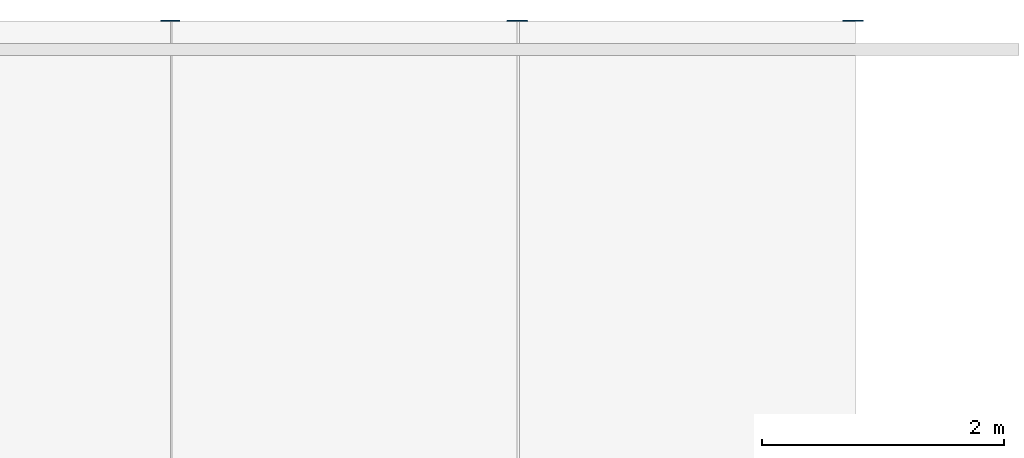
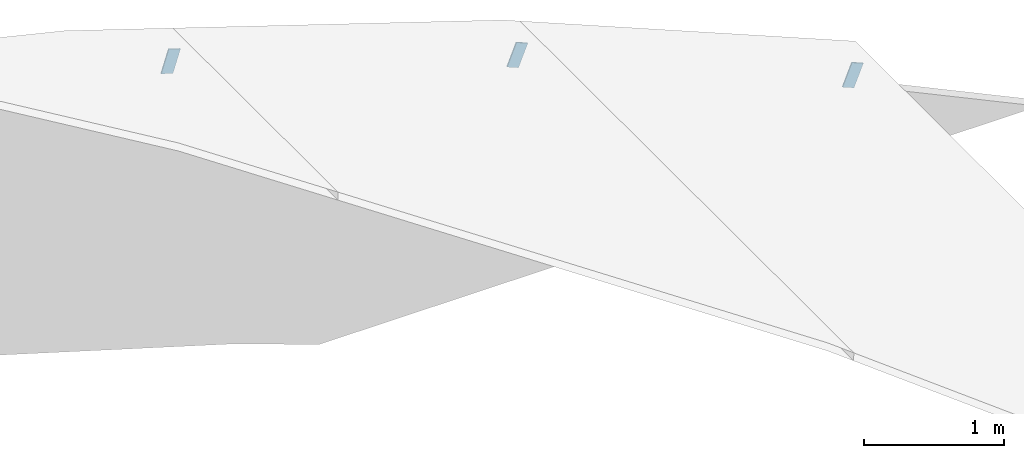
# One storey, part 13 of 17: 3 discrete accessories.
"""IFC4 building model written with IfcOpenShell, lengths in metres."""

from ifc_helpers import new_model, si_unit, direction, frame, origin, origin_2d, place, context, subcontext, project, spatial, rectangle, extrude, material, material_profile, profile_set, type_object, element, save


model = new_model("IFC4")

# Units and contexts
model_context = context("Model", 3, precision=1e-05, world=origin(), true_north=direction((0.0, 1.0)))
body_context = subcontext(model_context, "Body", "Model", "MODEL_VIEW")
ifc_project = project(units=[si_unit("LENGTHUNIT", "METRE"), si_unit("AREAUNIT", "SQUARE_METRE"), si_unit("VOLUMEUNIT", "CUBIC_METRE"), si_unit("PLANEANGLEUNIT", "RADIAN"), si_unit("MASSUNIT", "GRAM", prefix="KILO")], contexts=[model_context])

# Site, building, storey
site_placement = place(None, origin())
site = spatial("IfcSite", under=ifc_project, at=site_placement, CompositionType="ELEMENT")
building_placement = place(site_placement, origin())
building = spatial("IfcBuilding", under=site, at=building_placement, Name="Verrick Yard Athletic Hall", CompositionType="ELEMENT")
storey_placement = place(building_placement, frame((0.0, 0.0, 18.199951171875)))
storey = spatial("IfcBuildingStorey", under=building, at=storey_placement, Name="Roof", CompositionType="ELEMENT", Elevation=18.199951171875)

# Discrete accessories
ifc_material = material(Name="Structural steel 350W (CSA G40.21)", Category="steel")
ifc_material_profile = material_profile(ifc_material, rectangle(XDim=0.1015625, YDim=0.203125, at=origin_2d()), Name="STR End cap plate 203x102x9.5")
ifc_profile_set = profile_set([ifc_material_profile], Name="Structural steel 350W (CSA G40.21)")
discrete_accessory_type = type_object("IfcDiscreteAccessoryType", Name="STR End cap plate 203x102x9.5", PredefinedType="BRACKET", material=ifc_profile_set)
for number, where, z_axis, x_axis, name in (
    (1, (165.25732421875, 108.0, 0.578125), (0.0, 1.0, 0.0), (-0.924122791552, 0.0, 0.382095624331), "End cap HB-PU-A-5-16 B"),
    (2, (159.62060546875, 108.0, 2.6728515625), (0.0, 1.0, 0.0), (-0.951213620533, 0.0, 0.308533058379), "End cap HB-PU-A-5-14 B"),
    (3, (162.48486328125, 108.0, 1.724365234375), (0.0, 1.0, 0.0), (-0.924122791552, 0.0, 0.382095624331), "End cap HB-PU-A-5-15 B"),
):
    element("IfcDiscreteAccessory", number, at=place(storey_placement, frame(where, z_axis=z_axis, x_axis=x_axis)), inside=storey, type_object=discrete_accessory_type, Name=name, PredefinedType="BRACKET", context=body_context, shape_type="SweptSolid", body=[
        extrude(rectangle(XDim=0.1015625, YDim=0.203125, at=origin_2d()), origin(), (0.0, 0.0, 1.0), 0.010009765625),
    ])

save(model, "model.ifc")
